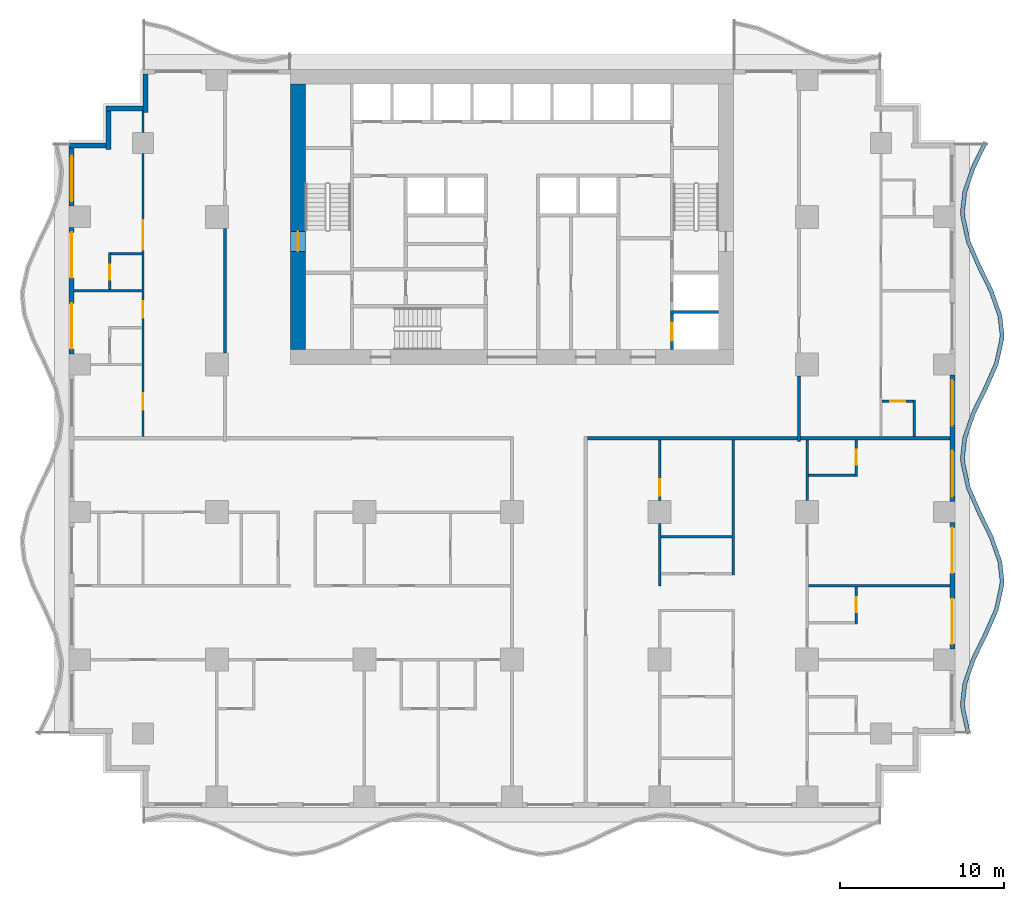
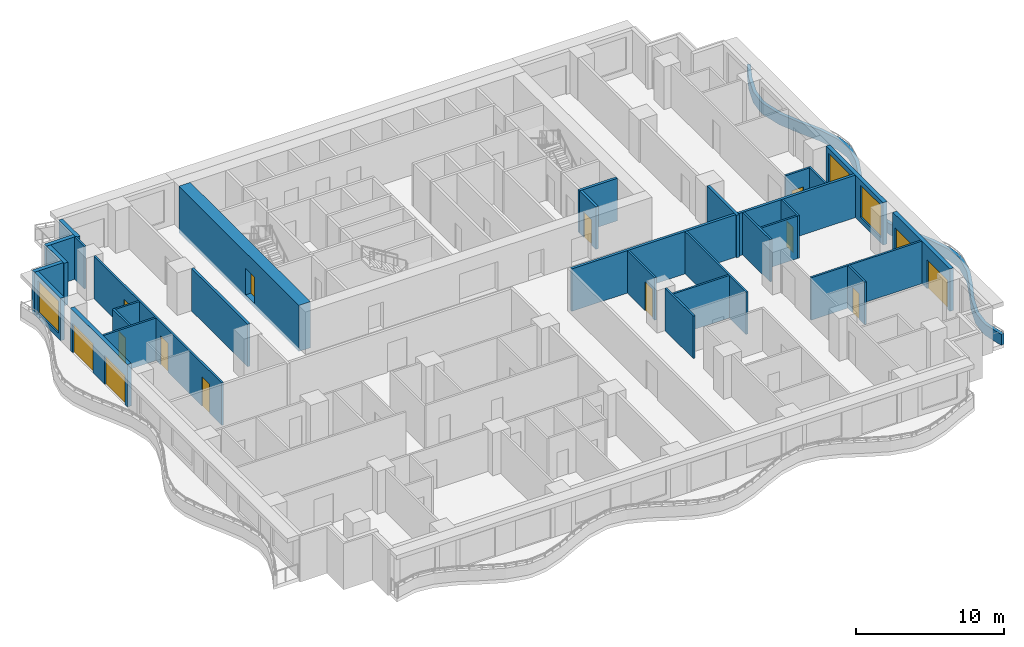
# One storey, part 4 of 13: 32 walls, 14 doors, 3 windows, 17 openings.
"""IFC4 building model written with IfcOpenShell, lengths in metres."""

from ifc_helpers import new_model, si_unit, direction, frame, frame_2d, origin, place, context, subcontext, project, spatial, polyline, rectangle, outline, extrude, material, layer, layer_set, type_object, element, fill, save


model = new_model("IFC4")

# Units and contexts
model_context = context("Model", 3, precision=1e-05, world=origin(), true_north=direction((0.0, 1.0)))
body_context = subcontext(model_context, "Body", "Model", "MODEL_VIEW")
ifc_project = project(units=[si_unit("LENGTHUNIT", "METRE"), si_unit("AREAUNIT", "SQUARE_METRE"), si_unit("VOLUMEUNIT", "CUBIC_METRE"), si_unit("PLANEANGLEUNIT", "RADIAN"), si_unit("MASSUNIT", "GRAM", prefix="KILO")], contexts=[model_context])

# Site, building, storey
site_placement = place(None, origin())
site = spatial("IfcSite", under=ifc_project, at=site_placement, CompositionType="ELEMENT")
building_placement = place(site_placement, origin())
building = spatial("IfcBuilding", under=site, at=building_placement, Name="Orbiselva Terraces", CompositionType="ELEMENT")
storey_placement = place(building_placement, frame((0.0, 0.0, 96.0)))
storey = spatial("IfcBuildingStorey", under=building, at=storey_placement, Name="L24", CompositionType="ELEMENT", Elevation=96.0)

# Wall, opening, door
ifc_material_1 = material(Name="Concrete C80/95", Category="concrete")
ifc_layer_1 = layer(ifc_material_1, 0.9)
ifc_layer_set_1 = layer_set([ifc_layer_1], Name="Concrete C80/95")
wall_type_1 = type_object("IfcWallType", Name="CORE WALL 900", PredefinedType="SHEAR", material=ifc_layer_set_1)
wall_1_placement = place(storey_placement, frame((-13.05, 21.6, -0.3), z_axis=(0.0, 0.0, 1.0), x_axis=(0.0, -1.0, 0.0)))
wall_1 = element("IfcWall", 1, at=wall_1_placement, inside=storey, type_object=wall_type_1, Name="Core wall L24 west", PredefinedType="SHEAR", context=body_context, shape_type="SweptSolid", body=[
    extrude(rectangle(XDim=16.2, YDim=0.9, at=frame_2d((8.1, 0.0))), origin(), (0.0, 0.0, 1.0), 3.8),
])
opening_1_placement = place(wall_1_placement, frame((9.0, 0.0, 0.3)))
opening_1 = element("IfcOpeningElement", 2, at=opening_1_placement, cuts=wall_1, Name="Opening DS1200", PredefinedType="OPENING", context=body_context, shape_type="SweptSolid", body=[
    extrude(rectangle(XDim=1.2, YDim=2.2, at=frame_2d((0.6, 1.1))), frame((0.0, 0.46, 0.0), z_axis=(0.0, -1.0, 0.0), x_axis=(1.0, 0.0, 0.0)), (0.0, 0.0, 1.0), 0.92),
])
ifc_material_2 = material(Name="Steel fire door", Category="steel")
door_type_1 = type_object("IfcDoorType", Name="STAIR DOOR 1200", OperationType="NOTDEFINED", PredefinedType="DOOR", material=ifc_material_2)
door_1_placement = place(opening_1_placement, frame((1.2, 0.0, 0.0), z_axis=(0.0, 0.0, 1.0), x_axis=(-1.0, 0.0, 0.0)))
door_1 = element("IfcDoor", 3, at=door_1_placement, inside=storey, type_object=door_type_1, Name="L24 EXIT STAIR S1 door", OperationType="SINGLE_SWING_RIGHT", OverallHeight=2.2, OverallWidth=1.2, PredefinedType="DOOR", context=body_context, shape_type="SweptSolid", body=[
    extrude(rectangle(XDim=1.2, YDim=2.2, at=frame_2d((0.6, 1.1))), frame((0.0, 0.025, 0.0), z_axis=(0.0, -1.0, 0.0), x_axis=(1.0, 0.0, 0.0)), (0.0, 0.0, 1.0), 0.05),
])
fill(opening_1, door_1)

ifc_material_3 = material(Name="Concrete C60/75", Category="concrete")
ifc_layer_2 = layer(ifc_material_3, 0.2)
ifc_layer_set_2 = layer_set([ifc_layer_2], Name="Concrete C60/75")
wall_type_2 = type_object("IfcWallType", Name="CORE-WALL-SHEAR-200", PredefinedType="SHEAR", material=ifc_layer_set_2)
wall_2_placement = place(storey_placement, frame((9.75, 5.4, 0.0), z_axis=(0.0, 0.0, 1.0), x_axis=(0.0, 1.0, 0.0)))
wall_2 = element("IfcWall", 4, at=wall_2_placement, inside=storey, type_object=wall_type_2, Name="L24 core wall 42", PredefinedType="SHEAR", context=body_context, shape_type="SweptSolid", body=[
    extrude(rectangle(XDim=2.2, YDim=0.2, at=frame_2d((1.1, 0.0))), origin(), (0.0, 0.0, 1.0), 3.5),
])
opening_2_placement = place(wall_2_placement, frame((0.55, 0.0, 0.0)))
opening_2 = element("IfcOpeningElement", 5, at=opening_2_placement, cuts=wall_2, Name="Opening LD-FF1", PredefinedType="OPENING", context=body_context, shape_type="SweptSolid", body=[
    extrude(rectangle(XDim=1.1, YDim=2.1, at=frame_2d((0.55, 1.05))), frame((0.0, 0.11, 0.0), z_axis=(0.0, -1.0, 0.0), x_axis=(1.0, 0.0, 0.0)), (0.0, 0.0, 1.0), 0.22),
])
ifc_material_4 = material(Name="Stainless steel landing door", Category="steel")
door_type_2 = type_object("IfcDoorType", Name="LANDING DOOR 1100", OperationType="SLIDING_TO_LEFT", PredefinedType="DOOR", material=ifc_material_4)
door_2_placement = place(opening_2_placement, origin())
door_2 = element("IfcDoor", 6, at=door_2_placement, inside=storey, type_object=door_type_2, Name="L24 landing door FF1", OperationType="SLIDING_TO_RIGHT", OverallHeight=2.1, OverallWidth=1.1, PredefinedType="DOOR", context=body_context, shape_type="SweptSolid", body=[
    extrude(rectangle(XDim=1.1, YDim=2.1, at=frame_2d((0.55, 1.05))), frame((0.0, 0.025, 0.0), z_axis=(0.0, -1.0, 0.0), x_axis=(1.0, 0.0, 0.0)), (0.0, 0.0, 1.0), 0.05),
])
fill(opening_2, door_2)

# Walls
wall_3_placement = place(storey_placement, frame((9.65, 7.7, 0.0), z_axis=(0.0, 0.0, 1.0), x_axis=(1.0, 0.0, 0.0)))
element("IfcWall", 7, at=wall_3_placement, inside=storey, type_object=wall_type_2, Name="L24 core wall 43", PredefinedType="SHEAR", context=body_context, shape_type="SweptSolid", body=[
    extrude(rectangle(XDim=2.95, YDim=0.2, at=frame_2d((1.475, 0.0))), origin(), (0.0, 0.0, 1.0), 3.5),
])
ifc_material_5 = material(Name="Concrete C40/50", Category="concrete")
ifc_layer_3 = layer(ifc_material_5, 0.25)
ifc_layer_set_3 = layer_set([ifc_layer_3], Name="Concrete C40/50")
wall_type_3 = type_object("IfcWallType", Name="ENV-PLANTER-250x900", PredefinedType="USERDEFINED", material=ifc_layer_set_3)
wall_4_placement = place(storey_placement, origin())
element("IfcWall", 8, at=wall_4_placement, inside=storey, type_object=wall_type_3, Name="Balcony planter L24 E", ObjectType="PLANTER", PredefinedType="USERDEFINED", context=body_context, shape_type="SweptSolid", body=[
    extrude(outline(polyline([(27.951472, -18.0), (27.614774, -16.5), (27.6, -16.125), (27.730792, -15.0), (28.255211, -13.5), (28.987721, -12.0), (29.648528, -10.5), (29.985226, -9.0), (30.0, -8.625), (29.869208, -7.5), (29.344789, -6.0), (28.612279, -4.5), (27.951472, -3.0), (27.614774, -1.5), (27.6, -1.125), (27.730792, 0.0), (28.255211, 1.5), (28.987721, 3.0), (29.648528, 4.5), (29.985226, 6.0), (30.0, 6.375), (29.869208, 7.5), (29.344789, 9.0), (28.612279, 10.5), (27.951472, 12.0), (27.614774, 13.5), (27.6, 13.875), (27.730792, 15.0), (28.255211, 16.5), (28.987721, 18.0), (28.763076, 18.109703), (28.024089, 16.59644), (27.485662, 15.056371), (27.349429, 13.884572), (27.365863, 13.467435), (27.712874, 11.921492), (28.385477, 10.394714), (29.113667, 8.90356), (29.624078, 7.443629), (29.749429, 6.365428), (29.736315, 6.032565), (29.40993, 4.578508), (28.760919, 3.105286), (28.024089, 1.59644), (27.485662, 0.056371), (27.349429, -1.115428), (27.365863, -1.532565), (27.712874, -3.078508), (28.385477, -4.605286), (29.113667, -6.09644), (29.624078, -7.556371), (29.749429, -8.634572), (29.736315, -8.967435), (29.40993, -10.421492), (28.760919, -11.894714), (28.024089, -13.40356), (27.485662, -14.943629), (27.349429, -16.115428), (27.365863, -16.532565), (27.707542, -18.054754), (27.951472, -18.0)])), origin(), (0.0, 0.0, 1.0), 0.9),
])

# Wall, openings, doors
ifc_material_6 = material(Name="Terracotta cladding on masonry backing", Category="masonry")
ifc_layer_4 = layer(ifc_material_6, 0.3)
ifc_layer_set_4 = layer_set([ifc_layer_4], Name="Terracotta cladding on masonry backing")
wall_type_4 = type_object("IfcWallType", Name="ENV-WALL-TERRACOTTA-300", PredefinedType="SOLIDWALL", material=ifc_layer_set_4)
wall_5_placement = place(storey_placement, frame((26.85, -5.15, 0.0), z_axis=(0.0, 0.0, 1.0), x_axis=(0.0, -1.0, 0.0)))
wall_5 = element("IfcWall", 9, at=wall_5_placement, inside=storey, type_object=wall_type_4, Name="Facade wall L24 E", PredefinedType="SOLIDWALL", context=body_context, shape_type="SweptSolid", body=[
    extrude(rectangle(XDim=7.7, YDim=0.3, at=frame_2d((3.85, 0.0))), origin(), (0.0, 0.0, 1.0), 3.5),
])
opening_3_placement = place(wall_5_placement, frame((4.625, 0.0, 0.0)))
opening_3 = element("IfcOpeningElement", 10, at=opening_3_placement, cuts=wall_5, Name="Opening Z2-C-E12", PredefinedType="OPENING", context=body_context, shape_type="SweptSolid", body=[
    extrude(rectangle(XDim=2.775, YDim=2.4, at=frame_2d((1.3875, 1.2))), frame((0.0, 0.16, 0.0), z_axis=(0.0, -1.0, 0.0), x_axis=(1.0, 0.0, 0.0)), (0.0, 0.0, 1.0), 0.32),
])
opening_4_placement = place(wall_5_placement, frame((0.3, 0.0, 0.0)))
opening_4 = element("IfcOpeningElement", 11, at=opening_4_placement, cuts=wall_5, Name="Opening Z2-C-E04", PredefinedType="OPENING", context=body_context, shape_type="SweptSolid", body=[
    extrude(rectangle(XDim=2.775, YDim=2.4, at=frame_2d((1.3875, 1.2))), frame((0.0, 0.16, 0.0), z_axis=(0.0, -1.0, 0.0), x_axis=(1.0, 0.0, 0.0)), (0.0, 0.0, 1.0), 0.32),
])
ifc_material_7 = material(Name="Clear low-e glazing in aluminium frame", Category="aluminium")
door_type_3 = type_object("IfcDoorType", Name="BALCONY DOOR 2775 X 2400", OperationType="DOUBLE_DOOR_SLIDING", PredefinedType="DOOR", material=ifc_material_7)
door_3_placement = place(opening_3_placement, origin())
door_3 = element("IfcDoor", 12, at=door_3_placement, inside=storey, type_object=door_type_3, Name="Z2-C-E12", OperationType="SINGLE_SWING_LEFT", OverallHeight=2.4, OverallWidth=2.775, PredefinedType="DOOR", context=body_context, shape_type="SweptSolid", body=[
    extrude(rectangle(XDim=2.775, YDim=2.4, at=frame_2d((1.3875, 1.2))), frame((0.0, 0.025, 0.0), z_axis=(0.0, -1.0, 0.0), x_axis=(1.0, 0.0, 0.0)), (0.0, 0.0, 1.0), 0.05),
])
fill(opening_3, door_3)
door_4_placement = place(opening_4_placement, origin())
door_4 = element("IfcDoor", 13, at=door_4_placement, inside=storey, type_object=door_type_3, Name="Z2-C-E04", OperationType="SINGLE_SWING_LEFT", OverallHeight=2.4, OverallWidth=2.775, PredefinedType="DOOR", context=body_context, shape_type="SweptSolid", body=[
    extrude(rectangle(XDim=2.775, YDim=2.4, at=frame_2d((1.3875, 1.2))), frame((0.0, 0.025, 0.0), z_axis=(0.0, -1.0, 0.0), x_axis=(1.0, 0.0, 0.0)), (0.0, 0.0, 1.0), 0.05),
])
fill(opening_4, door_4)

# Wall, openings, windows
wall_6_placement = place(storey_placement, frame((26.85, 3.85, 0.0), z_axis=(0.0, 0.0, 1.0), x_axis=(0.0, -1.0, 0.0)))
wall_6 = element("IfcWall", 14, at=wall_6_placement, inside=storey, type_object=wall_type_4, Name="Facade wall L24 E", PredefinedType="SOLIDWALL", context=body_context, shape_type="SweptSolid", body=[
    extrude(rectangle(XDim=7.7, YDim=0.3, at=frame_2d((3.85, 0.0))), origin(), (0.0, 0.0, 1.0), 3.5),
])
opening_5_placement = place(wall_6_placement, frame((4.625, 0.0, 0.45)))
opening_5 = element("IfcOpeningElement", 15, at=opening_5_placement, cuts=wall_6, Name="Opening WN6", PredefinedType="OPENING", context=body_context, shape_type="SweptSolid", body=[
    extrude(rectangle(XDim=2.775, YDim=2.65, at=frame_2d((1.3875, 1.325))), frame((0.0, 0.16, 0.0), z_axis=(0.0, -1.0, 0.0), x_axis=(1.0, 0.0, 0.0)), (0.0, 0.0, 1.0), 0.32),
])
opening_6_placement = place(wall_6_placement, frame((0.3, 0.0, 0.45)))
opening_6 = element("IfcOpeningElement", 16, at=opening_6_placement, cuts=wall_6, Name="Opening WN6", PredefinedType="OPENING", context=body_context, shape_type="SweptSolid", body=[
    extrude(rectangle(XDim=2.775, YDim=2.65, at=frame_2d((1.3875, 1.325))), frame((0.0, 0.16, 0.0), z_axis=(0.0, -1.0, 0.0), x_axis=(1.0, 0.0, 0.0)), (0.0, 0.0, 1.0), 0.32),
])
window_type = type_object("IfcWindowType", Name="WINDOW 2775 X 2650 S450", PartitioningType="TRIPLE_PANEL_VERTICAL", PredefinedType="WINDOW", material=ifc_material_7)
window_1_placement = place(opening_5_placement, origin())
window_1 = element("IfcWindow", 17, at=window_1_placement, inside=storey, type_object=window_type, Name="Window L24 E", OverallHeight=2.65, OverallWidth=2.775, PartitioningType="SINGLE_PANEL", PredefinedType="WINDOW", context=body_context, shape_type="SweptSolid", body=[
    extrude(rectangle(XDim=2.775, YDim=2.65, at=frame_2d((1.3875, 1.325))), frame((0.0, 0.03, 0.0), z_axis=(0.0, -1.0, 0.0), x_axis=(1.0, 0.0, 0.0)), (0.0, 0.0, 1.0), 0.06),
])
fill(opening_5, window_1)
window_2_placement = place(opening_6_placement, origin())
window_2 = element("IfcWindow", 18, at=window_2_placement, inside=storey, type_object=window_type, Name="Window L24 E", OverallHeight=2.65, OverallWidth=2.775, PartitioningType="SINGLE_PANEL", PredefinedType="WINDOW", context=body_context, shape_type="SweptSolid", body=[
    extrude(rectangle(XDim=2.775, YDim=2.65, at=frame_2d((1.3875, 1.325))), frame((0.0, 0.03, 0.0), z_axis=(0.0, -1.0, 0.0), x_axis=(1.0, 0.0, 0.0)), (0.0, 0.0, 1.0), 0.06),
])
fill(opening_6, window_2)

# Walls
wall_7_placement = place(storey_placement, frame((-22.35, 19.85, 0.0), z_axis=(0.0, 0.0, 1.0), x_axis=(0.0, 1.0, 0.0)))
element("IfcWall", 19, at=wall_7_placement, inside=storey, type_object=wall_type_4, Name="Facade wall L24 STEP", PredefinedType="SOLIDWALL", context=body_context, shape_type="SweptSolid", body=[
    extrude(rectangle(XDim=2.35, YDim=0.3, at=frame_2d((1.175, 0.0))), origin(), (0.0, 0.0, 1.0), 3.5),
])
wall_8_placement = place(storey_placement, frame((-24.75, 20.1, 0.0), z_axis=(0.0, 0.0, 1.0), x_axis=(1.0, 0.0, 0.0)))
element("IfcWall", 20, at=wall_8_placement, inside=storey, type_object=wall_type_4, Name="Facade wall L24 STEP", PredefinedType="SOLIDWALL", context=body_context, shape_type="SweptSolid", body=[
    extrude(rectangle(XDim=2.25, YDim=0.3, at=frame_2d((1.125, 0.0))), origin(), (0.0, 0.0, 1.0), 3.5),
])
wall_9_placement = place(storey_placement, frame((-24.6, 17.6, 0.0), z_axis=(0.0, 0.0, 1.0), x_axis=(0.0, 1.0, 0.0)))
element("IfcWall", 21, at=wall_9_placement, inside=storey, type_object=wall_type_4, Name="Facade wall L24 STEP", PredefinedType="SOLIDWALL", context=body_context, shape_type="SweptSolid", body=[
    extrude(rectangle(XDim=2.35, YDim=0.3, at=frame_2d((1.175, 0.0))), origin(), (0.0, 0.0, 1.0), 3.5),
])
wall_10_placement = place(storey_placement, frame((-27.0, 17.85, 0.0), z_axis=(0.0, 0.0, 1.0), x_axis=(1.0, 0.0, 0.0)))
element("IfcWall", 22, at=wall_10_placement, inside=storey, type_object=wall_type_4, Name="Facade wall L24 STEP", PredefinedType="SOLIDWALL", context=body_context, shape_type="SweptSolid", body=[
    extrude(rectangle(XDim=2.25, YDim=0.3, at=frame_2d((1.125, 0.0))), origin(), (0.0, 0.0, 1.0), 3.5),
])

# Wall, opening, window
wall_11_placement = place(storey_placement, frame((-26.85, 14.15, 0.0), z_axis=(0.0, 0.0, 1.0), x_axis=(0.0, 1.0, 0.0)))
wall_11 = element("IfcWall", 23, at=wall_11_placement, inside=storey, type_object=wall_type_4, Name="Facade wall L24 W", PredefinedType="SOLIDWALL", context=body_context, shape_type="SweptSolid", body=[
    extrude(rectangle(XDim=3.55, YDim=0.3, at=frame_2d((1.775, 0.0))), origin(), (0.0, 0.0, 1.0), 3.5),
])
opening_7_placement = place(wall_11_placement, frame((0.3, 0.0, 0.45)))
opening_7 = element("IfcOpeningElement", 24, at=opening_7_placement, cuts=wall_11, Name="Opening WN6", PredefinedType="OPENING", context=body_context, shape_type="SweptSolid", body=[
    extrude(rectangle(XDim=2.775, YDim=2.65, at=frame_2d((1.3875, 1.325))), frame((0.0, 0.16, 0.0), z_axis=(0.0, -1.0, 0.0), x_axis=(1.0, 0.0, 0.0)), (0.0, 0.0, 1.0), 0.32),
])
window_3_placement = place(opening_7_placement, origin())
window_3 = element("IfcWindow", 25, at=window_3_placement, inside=storey, type_object=window_type, Name="Window L24 W", OverallHeight=2.65, OverallWidth=2.775, PartitioningType="SINGLE_PANEL", PredefinedType="WINDOW", context=body_context, shape_type="SweptSolid", body=[
    extrude(rectangle(XDim=2.775, YDim=2.65, at=frame_2d((1.3875, 1.325))), frame((0.0, 0.03, 0.0), z_axis=(0.0, -1.0, 0.0), x_axis=(1.0, 0.0, 0.0)), (0.0, 0.0, 1.0), 0.06),
])
fill(opening_7, window_3)

# Wall, openings, doors
wall_12_placement = place(storey_placement, frame((-26.85, 5.15, 0.0), z_axis=(0.0, 0.0, 1.0), x_axis=(0.0, 1.0, 0.0)))
wall_12 = element("IfcWall", 26, at=wall_12_placement, inside=storey, type_object=wall_type_4, Name="Facade wall L24 W", PredefinedType="SOLIDWALL", context=body_context, shape_type="SweptSolid", body=[
    extrude(rectangle(XDim=7.7, YDim=0.3, at=frame_2d((3.85, 0.0))), origin(), (0.0, 0.0, 1.0), 3.5),
])
opening_8_placement = place(wall_12_placement, frame((4.625, 0.0, 0.0)))
opening_8 = element("IfcOpeningElement", 27, at=opening_8_placement, cuts=wall_12, Name="Opening Z2-C-E15", PredefinedType="OPENING", context=body_context, shape_type="SweptSolid", body=[
    extrude(rectangle(XDim=2.775, YDim=2.4, at=frame_2d((1.3875, 1.2))), frame((0.0, 0.16, 0.0), z_axis=(0.0, -1.0, 0.0), x_axis=(1.0, 0.0, 0.0)), (0.0, 0.0, 1.0), 0.32),
])
opening_9_placement = place(wall_12_placement, frame((0.3, 0.0, 0.0)))
opening_9 = element("IfcOpeningElement", 28, at=opening_9_placement, cuts=wall_12, Name="Opening Z2-C-E08", PredefinedType="OPENING", context=body_context, shape_type="SweptSolid", body=[
    extrude(rectangle(XDim=2.775, YDim=2.4, at=frame_2d((1.3875, 1.2))), frame((0.0, 0.16, 0.0), z_axis=(0.0, -1.0, 0.0), x_axis=(1.0, 0.0, 0.0)), (0.0, 0.0, 1.0), 0.32),
])
door_5_placement = place(opening_8_placement, origin())
door_5 = element("IfcDoor", 29, at=door_5_placement, inside=storey, type_object=door_type_3, Name="Z2-C-E15", OperationType="SINGLE_SWING_LEFT", OverallHeight=2.4, OverallWidth=2.775, PredefinedType="DOOR", context=body_context, shape_type="SweptSolid", body=[
    extrude(rectangle(XDim=2.775, YDim=2.4, at=frame_2d((1.3875, 1.2))), frame((0.0, 0.025, 0.0), z_axis=(0.0, -1.0, 0.0), x_axis=(1.0, 0.0, 0.0)), (0.0, 0.0, 1.0), 0.05),
])
fill(opening_8, door_5)
door_6_placement = place(opening_9_placement, origin())
door_6 = element("IfcDoor", 30, at=door_6_placement, inside=storey, type_object=door_type_3, Name="Z2-C-E08", OperationType="SINGLE_SWING_LEFT", OverallHeight=2.4, OverallWidth=2.775, PredefinedType="DOOR", context=body_context, shape_type="SweptSolid", body=[
    extrude(rectangle(XDim=2.775, YDim=2.4, at=frame_2d((1.3875, 1.2))), frame((0.0, 0.025, 0.0), z_axis=(0.0, -1.0, 0.0), x_axis=(1.0, 0.0, 0.0)), (0.0, 0.0, 1.0), 0.05),
])
fill(opening_9, door_6)

# Walls
ifc_material_8 = material(Name="Plasterboard on steel stud partition", Category="steel")
ifc_layer_5 = layer(ifc_material_8, 0.2)
ifc_layer_set_5 = layer_set([ifc_layer_5], Name="Plasterboard on steel stud partition")
wall_type_5 = type_object("IfcWallType", Name="UNIT-ENTRANCE-WALL-200", PredefinedType="PARTITIONING", material=ifc_layer_set_5)
wall_13_placement = place(storey_placement, frame((4.6, 0.0, 0.0), z_axis=(0.0, 0.0, 1.0), x_axis=(1.0, 0.0, 0.0)))
element("IfcWall", 31, at=wall_13_placement, inside=storey, type_object=wall_type_5, Name="PARTITION L24-026", PredefinedType="PARTITIONING", context=body_context, shape_type="SweptSolid", body=[
    extrude(rectangle(XDim=12.8, YDim=0.2, at=frame_2d((6.4, 0.0))), origin(), (0.0, 0.0, 1.0), 3.5),
])
wall_14_placement = place(storey_placement, frame((-17.5, 5.2, 0.0), z_axis=(0.0, 0.0, 1.0), x_axis=(0.0, 1.0, 0.0)))
element("IfcWall", 32, at=wall_14_placement, inside=storey, type_object=wall_type_5, Name="PARTITION L24-045", PredefinedType="PARTITIONING", context=body_context, shape_type="SweptSolid", body=[
    extrude(rectangle(XDim=7.6, YDim=0.2, at=frame_2d((3.8, 0.0))), origin(), (0.0, 0.0, 1.0), 3.5),
])
wall_15_placement = place(storey_placement, frame((17.5, -0.2, 0.0), z_axis=(0.0, 0.0, 1.0), x_axis=(0.0, 1.0, 0.0)))
element("IfcWall", 33, at=wall_15_placement, inside=storey, type_object=wall_type_5, Name="PARTITION L24-067", PredefinedType="PARTITIONING", context=body_context, shape_type="SweptSolid", body=[
    extrude(rectangle(XDim=4.0, YDim=0.2, at=frame_2d((2.0, 0.0))), origin(), (0.0, 0.0, 1.0), 3.5),
])
ifc_layer_6 = layer(ifc_material_8, 0.15)
ifc_layer_set_6 = layer_set([ifc_layer_6], Name="Plasterboard on steel stud partition")
wall_type_6 = type_object("IfcWallType", Name="UNIT-PARTITION-150", PredefinedType="PARTITIONING", material=ifc_layer_set_6)
wall_16_placement = place(storey_placement, frame((18.075, -9.0, 0.0), z_axis=(0.0, 0.0, 1.0), x_axis=(1.0, 0.0, 0.0)))
element("IfcWall", 34, at=wall_16_placement, inside=storey, type_object=wall_type_6, Name="PARTITION L24-017", PredefinedType="PARTITIONING", context=body_context, shape_type="SweptSolid", body=[
    extrude(rectangle(XDim=8.625, YDim=0.15, at=frame_2d((4.3125, 0.0))), origin(), (0.0, 0.0, 1.0), 3.5),
])
wall_17_placement = place(storey_placement, frame((9.075, -6.0, 0.0), z_axis=(0.0, 0.0, 1.0), x_axis=(1.0, 0.0, 0.0)))
element("IfcWall", 35, at=wall_17_placement, inside=storey, type_object=wall_type_6, Name="PARTITION L24-019", PredefinedType="PARTITIONING", context=body_context, shape_type="SweptSolid", body=[
    extrude(rectangle(XDim=4.35, YDim=0.15, at=frame_2d((2.175, 0.0))), origin(), (0.0, 0.0, 1.0), 3.5),
])
wall_18_placement = place(storey_placement, frame((18.075, -2.25, 0.0), z_axis=(0.0, 0.0, 1.0), x_axis=(1.0, 0.0, 0.0)))
element("IfcWall", 36, at=wall_18_placement, inside=storey, type_object=wall_type_6, Name="PARTITION L24-024", PredefinedType="PARTITIONING", context=body_context, shape_type="SweptSolid", body=[
    extrude(rectangle(XDim=2.85, YDim=0.15, at=frame_2d((1.425, 0.0))), origin(), (0.0, 0.0, 1.0), 3.5),
])

# Wall, opening, door
wall_19_placement = place(storey_placement, frame((24.45, 2.25, 0.0), z_axis=(0.0, 0.0, 1.0), x_axis=(-1.0, 0.0, 0.0)))
wall_19 = element("IfcWall", 37, at=wall_19_placement, inside=storey, type_object=wall_type_6, Name="PARTITION L24-029", PredefinedType="PARTITIONING", context=body_context, shape_type="SweptSolid", body=[
    extrude(rectangle(XDim=1.875, YDim=0.15, at=frame_2d((0.9375, 0.0))), origin(), (0.0, 0.0, 1.0), 3.5),
])
opening_10_placement = place(wall_19_placement, frame((0.475, 0.0, 0.0)))
opening_10 = element("IfcOpeningElement", 38, at=opening_10_placement, cuts=wall_19, Name="Opening Z2-C-09", PredefinedType="OPENING", context=body_context, shape_type="SweptSolid", body=[
    extrude(rectangle(XDim=0.9, YDim=2.1, at=frame_2d((0.45, 1.05))), frame((0.0, 0.085, 0.0), z_axis=(0.0, -1.0, 0.0), x_axis=(1.0, 0.0, 0.0)), (0.0, 0.0, 1.0), 0.17),
])
ifc_material_9 = material(Name="Painted timber door leaf", Category="wood")
door_type_4 = type_object("IfcDoorType", Name="BATH DOOR 900", OperationType="NOTDEFINED", PredefinedType="DOOR", material=ifc_material_9)
door_7_placement = place(opening_10_placement, origin())
door_7 = element("IfcDoor", 39, at=door_7_placement, inside=storey, type_object=door_type_4, Name="Z2-C-09", OperationType="SINGLE_SWING_LEFT", OverallHeight=2.1, OverallWidth=0.9, PredefinedType="DOOR", context=body_context, shape_type="SweptSolid", body=[
    extrude(rectangle(XDim=0.9, YDim=2.1, at=frame_2d((0.45, 1.05))), frame((0.0, 0.025, 0.0), z_axis=(0.0, -1.0, 0.0), x_axis=(1.0, 0.0, 0.0)), (0.0, 0.0, 1.0), 0.05),
])
fill(opening_10, door_7)

# Walls
wall_20_placement = place(storey_placement, frame((-26.7, 9.0, 0.0), z_axis=(0.0, 0.0, 1.0), x_axis=(1.0, 0.0, 0.0)))
element("IfcWall", 40, at=wall_20_placement, inside=storey, type_object=wall_type_6, Name="PARTITION L24-032", PredefinedType="PARTITIONING", context=body_context, shape_type="SweptSolid", body=[
    extrude(rectangle(XDim=4.125, YDim=0.15, at=frame_2d((2.0625, 0.0))), origin(), (0.0, 0.0, 1.0), 3.5),
])
wall_21_placement = place(storey_placement, frame((-24.45, 11.25, 0.0), z_axis=(0.0, 0.0, 1.0), x_axis=(1.0, 0.0, 0.0)))
element("IfcWall", 41, at=wall_21_placement, inside=storey, type_object=wall_type_6, Name="PARTITION L24-034", PredefinedType="PARTITIONING", context=body_context, shape_type="SweptSolid", body=[
    extrude(rectangle(XDim=1.875, YDim=0.15, at=frame_2d((0.9375, 0.0))), origin(), (0.0, 0.0, 1.0), 3.5),
])

# Wall, opening, door
wall_22_placement = place(storey_placement, frame((-24.525, 11.325, 0.0), z_axis=(0.0, 0.0, 1.0), x_axis=(0.0, -1.0, 0.0)))
wall_22 = element("IfcWall", 42, at=wall_22_placement, inside=storey, type_object=wall_type_6, Name="PARTITION L24-039", PredefinedType="PARTITIONING", context=body_context, shape_type="SweptSolid", body=[
    extrude(rectangle(XDim=2.25, YDim=0.15, at=frame_2d((1.125, 0.0))), origin(), (0.0, 0.0, 1.0), 3.5),
])
opening_11_placement = place(wall_22_placement, frame((0.75, 0.0, 0.0)))
opening_11 = element("IfcOpeningElement", 43, at=opening_11_placement, cuts=wall_22, Name="Opening Z2-C-06", PredefinedType="OPENING", context=body_context, shape_type="SweptSolid", body=[
    extrude(rectangle(XDim=0.9, YDim=2.1, at=frame_2d((0.45, 1.05))), frame((0.0, 0.085, 0.0), z_axis=(0.0, -1.0, 0.0), x_axis=(1.0, 0.0, 0.0)), (0.0, 0.0, 1.0), 0.17),
])
door_8_placement = place(opening_11_placement, origin())
door_8 = element("IfcDoor", 44, at=door_8_placement, inside=storey, type_object=door_type_4, Name="Z2-C-06", OperationType="SINGLE_SWING_RIGHT", OverallHeight=2.1, OverallWidth=0.9, PredefinedType="DOOR", context=body_context, shape_type="SweptSolid", body=[
    extrude(rectangle(XDim=0.9, YDim=2.1, at=frame_2d((0.45, 1.05))), frame((0.0, 0.025, 0.0), z_axis=(0.0, -1.0, 0.0), x_axis=(1.0, 0.0, 0.0)), (0.0, 0.0, 1.0), 0.05),
])
fill(opening_11, door_8)

# Wall, openings, doors
wall_23_placement = place(storey_placement, frame((-22.5, 0.1, 0.0), z_axis=(0.0, 0.0, 1.0), x_axis=(0.0, 1.0, 0.0)))
wall_23 = element("IfcWall", 45, at=wall_23_placement, inside=storey, type_object=wall_type_6, Name="PARTITION L24-041", PredefinedType="PARTITIONING", context=body_context, shape_type="SweptSolid", body=[
    extrude(rectangle(XDim=17.25, YDim=0.15, at=frame_2d((8.625, 0.0))), origin(), (0.0, 0.0, 1.0), 3.5),
])
opening_12_placement = place(wall_23_placement, frame((1.65, 0.0, 0.0)))
opening_12 = element("IfcOpeningElement", 46, at=opening_12_placement, cuts=wall_23, Name="Opening Z2-C-02", PredefinedType="OPENING", context=body_context, shape_type="SweptSolid", body=[
    extrude(rectangle(XDim=1.0, YDim=2.4, at=frame_2d((0.5, 1.2))), frame((0.0, 0.085, 0.0), z_axis=(0.0, -1.0, 0.0), x_axis=(1.0, 0.0, 0.0)), (0.0, 0.0, 1.0), 0.17),
])
opening_13_placement = place(wall_23_placement, frame((7.25, 0.0, 0.0)))
opening_13 = element("IfcOpeningElement", 47, at=opening_13_placement, cuts=wall_23, Name="Opening Z2-C-03", PredefinedType="OPENING", context=body_context, shape_type="SweptSolid", body=[
    extrude(rectangle(XDim=1.0, YDim=2.4, at=frame_2d((0.5, 1.2))), frame((0.0, 0.085, 0.0), z_axis=(0.0, -1.0, 0.0), x_axis=(1.0, 0.0, 0.0)), (0.0, 0.0, 1.0), 0.17),
])
opening_14_placement = place(wall_23_placement, frame((11.4, 0.0, 0.0)))
opening_14 = element("IfcOpeningElement", 48, at=opening_14_placement, cuts=wall_23, Name="Opening Z2-C-05", PredefinedType="OPENING", context=body_context, shape_type="SweptSolid", body=[
    extrude(rectangle(XDim=1.8, YDim=2.4, at=frame_2d((0.9, 1.2))), frame((0.0, 0.085, 0.0), z_axis=(0.0, -1.0, 0.0), x_axis=(1.0, 0.0, 0.0)), (0.0, 0.0, 1.0), 0.17),
])
door_type_5 = type_object("IfcDoorType", Name="DOUBLE DOOR 1800", OperationType="NOTDEFINED", PredefinedType="DOOR", material=ifc_material_9)
door_9_placement = place(opening_14_placement, origin())
door_9 = element("IfcDoor", 49, at=door_9_placement, inside=storey, type_object=door_type_5, Name="Z2-C-05", OperationType="DOUBLE_DOOR_SINGLE_SWING", OverallHeight=2.4, OverallWidth=1.8, PredefinedType="DOOR", context=body_context, shape_type="SweptSolid", body=[
    extrude(rectangle(XDim=1.8, YDim=2.4, at=frame_2d((0.9, 1.2))), frame((0.0, 0.025, 0.0), z_axis=(0.0, -1.0, 0.0), x_axis=(1.0, 0.0, 0.0)), (0.0, 0.0, 1.0), 0.05),
])
fill(opening_14, door_9)
door_type_6 = type_object("IfcDoorType", Name="ROOM DOOR 1000", OperationType="NOTDEFINED", PredefinedType="DOOR", material=ifc_material_9)
door_10_placement = place(opening_12_placement, origin())
door_10 = element("IfcDoor", 50, at=door_10_placement, inside=storey, type_object=door_type_6, Name="Z2-C-02", OperationType="SINGLE_SWING_LEFT", OverallHeight=2.4, OverallWidth=1.0, PredefinedType="DOOR", context=body_context, shape_type="SweptSolid", body=[
    extrude(rectangle(XDim=1.0, YDim=2.4, at=frame_2d((0.5, 1.2))), frame((0.0, 0.025, 0.0), z_axis=(0.0, -1.0, 0.0), x_axis=(1.0, 0.0, 0.0)), (0.0, 0.0, 1.0), 0.05),
])
fill(opening_12, door_10)
door_11_placement = place(opening_13_placement, origin())
door_11 = element("IfcDoor", 51, at=door_11_placement, inside=storey, type_object=door_type_6, Name="Z2-C-03", OperationType="SINGLE_SWING_LEFT", OverallHeight=2.4, OverallWidth=1.0, PredefinedType="DOOR", context=body_context, shape_type="SweptSolid", body=[
    extrude(rectangle(XDim=1.0, YDim=2.4, at=frame_2d((0.5, 1.2))), frame((0.0, 0.025, 0.0), z_axis=(0.0, -1.0, 0.0), x_axis=(1.0, 0.0, 0.0)), (0.0, 0.0, 1.0), 0.05),
])
fill(opening_13, door_11)

# Walls
wall_24_placement = place(storey_placement, frame((-22.5, 18.65, 0.0), z_axis=(0.0, 0.0, 1.0), x_axis=(0.0, 1.0, 0.0)))
element("IfcWall", 52, at=wall_24_placement, inside=storey, type_object=wall_type_6, Name="PARTITION L24-042", PredefinedType="PARTITIONING", context=body_context, shape_type="SweptSolid", body=[
    extrude(rectangle(XDim=1.3, YDim=0.15, at=frame_2d((0.65, 0.0))), origin(), (0.0, 0.0, 1.0), 3.5),
])
wall_25_placement = place(storey_placement, frame((9.0, -9.0, 0.0), z_axis=(0.0, 0.0, 1.0), x_axis=(0.0, 1.0, 0.0)))
element("IfcWall", 53, at=wall_25_placement, inside=storey, type_object=wall_type_6, Name="PARTITION L24-063", PredefinedType="PARTITIONING", context=body_context, shape_type="SweptSolid", body=[
    extrude(rectangle(XDim=3.8, YDim=0.15, at=frame_2d((1.9, 0.0))), origin(), (0.0, 0.0, 1.0), 3.5),
])

# Wall, opening, door
wall_26_placement = place(storey_placement, frame((9.0, -0.1, 0.0), z_axis=(0.0, 0.0, 1.0), x_axis=(0.0, -1.0, 0.0)))
wall_26 = element("IfcWall", 54, at=wall_26_placement, inside=storey, type_object=wall_type_6, Name="PARTITION L24-064", PredefinedType="PARTITIONING", context=body_context, shape_type="SweptSolid", body=[
    extrude(rectangle(XDim=3.7, YDim=0.15, at=frame_2d((1.85, 0.0))), origin(), (0.0, 0.0, 1.0), 3.5),
])
opening_15_placement = place(wall_26_placement, frame((2.4, 0.0, 0.0)))
opening_15 = element("IfcOpeningElement", 55, at=opening_15_placement, cuts=wall_26, Name="Opening Z2-C-29", PredefinedType="OPENING", context=body_context, shape_type="SweptSolid", body=[
    extrude(rectangle(XDim=1.0, YDim=2.4, at=frame_2d((0.5, 1.2))), frame((0.0, 0.085, 0.0), z_axis=(0.0, -1.0, 0.0), x_axis=(1.0, 0.0, 0.0)), (0.0, 0.0, 1.0), 0.17),
])
door_12_placement = place(opening_15_placement, origin())
door_12 = element("IfcDoor", 56, at=door_12_placement, inside=storey, type_object=door_type_6, Name="Z2-C-29", OperationType="SINGLE_SWING_RIGHT", OverallHeight=2.4, OverallWidth=1.0, PredefinedType="DOOR", context=body_context, shape_type="SweptSolid", body=[
    extrude(rectangle(XDim=1.0, YDim=2.4, at=frame_2d((0.5, 1.2))), frame((0.0, 0.025, 0.0), z_axis=(0.0, -1.0, 0.0), x_axis=(1.0, 0.0, 0.0)), (0.0, 0.0, 1.0), 0.05),
])
fill(opening_15, door_12)

# Walls
wall_27_placement = place(storey_placement, frame((13.5, -8.325, 0.0), z_axis=(0.0, 0.0, 1.0), x_axis=(0.0, 1.0, 0.0)))
element("IfcWall", 57, at=wall_27_placement, inside=storey, type_object=wall_type_6, Name="PARTITION L24-066", PredefinedType="PARTITIONING", context=body_context, shape_type="SweptSolid", body=[
    extrude(rectangle(XDim=8.225, YDim=0.15, at=frame_2d((4.1125, 0.0))), origin(), (0.0, 0.0, 1.0), 3.5),
])
wall_28_placement = place(storey_placement, frame((18.0, -3.8, 0.0), z_axis=(0.0, 0.0, 1.0), x_axis=(0.0, 1.0, 0.0)))
element("IfcWall", 58, at=wall_28_placement, inside=storey, type_object=wall_type_6, Name="PARTITION L24-072", PredefinedType="PARTITIONING", context=body_context, shape_type="SweptSolid", body=[
    extrude(rectangle(XDim=3.7, YDim=0.15, at=frame_2d((1.85, 0.0))), origin(), (0.0, 0.0, 1.0), 3.5),
])

# Wall, opening, door
wall_29_placement = place(storey_placement, frame((21.0, -11.325, 0.0), z_axis=(0.0, 0.0, 1.0), x_axis=(0.0, 1.0, 0.0)))
wall_29 = element("IfcWall", 59, at=wall_29_placement, inside=storey, type_object=wall_type_6, Name="PARTITION L24-074", PredefinedType="PARTITIONING", context=body_context, shape_type="SweptSolid", body=[
    extrude(rectangle(XDim=2.25, YDim=0.15, at=frame_2d((1.125, 0.0))), origin(), (0.0, 0.0, 1.0), 3.5),
])
opening_16_placement = place(wall_29_placement, frame((0.725, 0.0, 0.0)))
opening_16 = element("IfcOpeningElement", 60, at=opening_16_placement, cuts=wall_29, Name="Opening Z2-C-37", PredefinedType="OPENING", context=body_context, shape_type="SweptSolid", body=[
    extrude(rectangle(XDim=0.9, YDim=2.1, at=frame_2d((0.45, 1.05))), frame((0.0, 0.085, 0.0), z_axis=(0.0, -1.0, 0.0), x_axis=(1.0, 0.0, 0.0)), (0.0, 0.0, 1.0), 0.17),
])
door_13_placement = place(opening_16_placement, origin())
door_13 = element("IfcDoor", 61, at=door_13_placement, inside=storey, type_object=door_type_4, Name="Z2-C-37", OperationType="SINGLE_SWING_RIGHT", OverallHeight=2.1, OverallWidth=0.9, PredefinedType="DOOR", context=body_context, shape_type="SweptSolid", body=[
    extrude(rectangle(XDim=0.9, YDim=2.1, at=frame_2d((0.45, 1.05))), frame((0.0, 0.025, 0.0), z_axis=(0.0, -1.0, 0.0), x_axis=(1.0, 0.0, 0.0)), (0.0, 0.0, 1.0), 0.05),
])
fill(opening_16, door_13)

wall_30_placement = place(storey_placement, frame((21.0, -2.325, 0.0), z_axis=(0.0, 0.0, 1.0), x_axis=(0.0, 1.0, 0.0)))
wall_30 = element("IfcWall", 62, at=wall_30_placement, inside=storey, type_object=wall_type_6, Name="PARTITION L24-075", PredefinedType="PARTITIONING", context=body_context, shape_type="SweptSolid", body=[
    extrude(rectangle(XDim=2.225, YDim=0.15, at=frame_2d((1.1125, 0.0))), origin(), (0.0, 0.0, 1.0), 3.5),
])
opening_17_placement = place(wall_30_placement, frame((0.725, 0.0, 0.0)))
opening_17 = element("IfcOpeningElement", 63, at=opening_17_placement, cuts=wall_30, Name="Opening Z2-C-35", PredefinedType="OPENING", context=body_context, shape_type="SweptSolid", body=[
    extrude(rectangle(XDim=0.9, YDim=2.1, at=frame_2d((0.45, 1.05))), frame((0.0, 0.085, 0.0), z_axis=(0.0, -1.0, 0.0), x_axis=(1.0, 0.0, 0.0)), (0.0, 0.0, 1.0), 0.17),
])
door_14_placement = place(opening_17_placement, origin())
door_14 = element("IfcDoor", 64, at=door_14_placement, inside=storey, type_object=door_type_4, Name="Z2-C-35", OperationType="SINGLE_SWING_RIGHT", OverallHeight=2.1, OverallWidth=0.9, PredefinedType="DOOR", context=body_context, shape_type="SweptSolid", body=[
    extrude(rectangle(XDim=0.9, YDim=2.1, at=frame_2d((0.45, 1.05))), frame((0.0, 0.025, 0.0), z_axis=(0.0, -1.0, 0.0), x_axis=(1.0, 0.0, 0.0)), (0.0, 0.0, 1.0), 0.05),
])
fill(opening_17, door_14)

# Walls
wall_31_placement = place(storey_placement, frame((24.525, 0.1, 0.0), z_axis=(0.0, 0.0, 1.0), x_axis=(0.0, 1.0, 0.0)))
element("IfcWall", 65, at=wall_31_placement, inside=storey, type_object=wall_type_6, Name="PARTITION L24-078", PredefinedType="PARTITIONING", context=body_context, shape_type="SweptSolid", body=[
    extrude(rectangle(XDim=2.225, YDim=0.15, at=frame_2d((1.1125, 0.0))), origin(), (0.0, 0.0, 1.0), 3.5),
])
ifc_layer_7 = layer(ifc_material_8, 0.2)
ifc_layer_set_7 = layer_set([ifc_layer_7], Name="Plasterboard on steel stud partition")
wall_type_7 = type_object("IfcWallType", Name="UNIT-PARTY-WALL-200", PredefinedType="PARTITIONING", material=ifc_layer_set_7)
wall_32_placement = place(storey_placement, frame((17.6, 0.0, 0.0), z_axis=(0.0, 0.0, 1.0), x_axis=(1.0, 0.0, 0.0)))
element("IfcWall", 66, at=wall_32_placement, inside=storey, type_object=wall_type_7, Name="PARTITION L24-028", PredefinedType="PARTITIONING", context=body_context, shape_type="SweptSolid", body=[
    extrude(rectangle(XDim=9.1, YDim=0.2, at=frame_2d((4.55, 0.0))), origin(), (0.0, 0.0, 1.0), 3.5),
])

save(model, "model.ifc")
